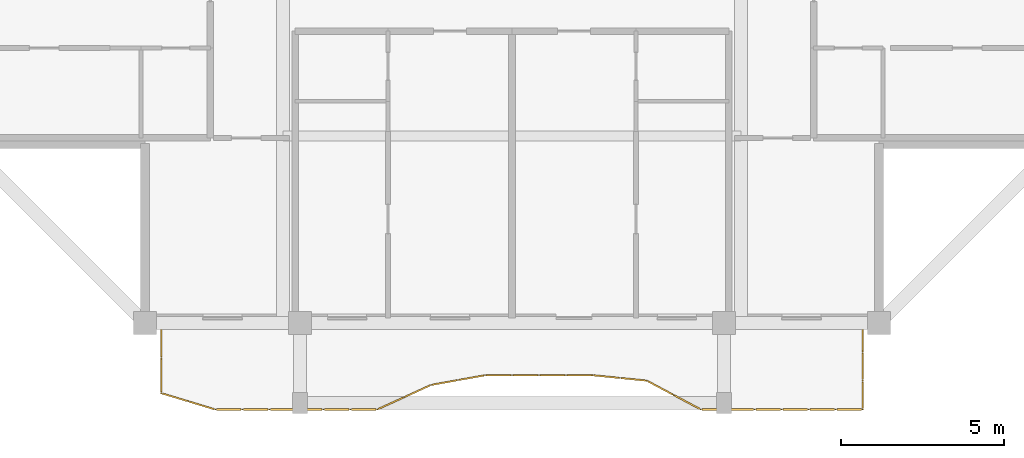
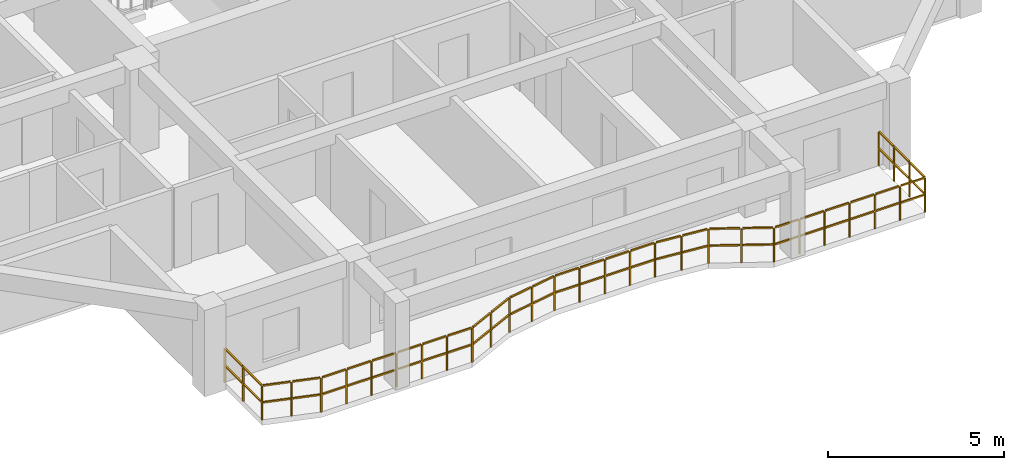
# One storey, part 9 of 13: 1 railing.
"""IFC4 building model written with IfcOpenShell, lengths in metres."""

from ifc_helpers import new_model, si_unit, direction, frame, origin, origin_2d, place, context, subcontext, project, spatial, rectangle, extrude, material, type_object, element, save


model = new_model("IFC4")

# Units and contexts
model_context = context("Model", 3, precision=1e-05, world=origin(), true_north=direction((0.0, 1.0)))
body_context = subcontext(model_context, "Body", "Model", "MODEL_VIEW")
ifc_project = project(units=[si_unit("LENGTHUNIT", "METRE"), si_unit("AREAUNIT", "SQUARE_METRE"), si_unit("VOLUMEUNIT", "CUBIC_METRE"), si_unit("PLANEANGLEUNIT", "RADIAN"), si_unit("MASSUNIT", "GRAM", prefix="KILO")], contexts=[model_context])

# Site, building, storey
site_placement = place(None, origin())
site = spatial("IfcSite", under=ifc_project, at=site_placement, CompositionType="ELEMENT")
building_placement = place(site_placement, origin())
building = spatial("IfcBuilding", under=site, at=building_placement, Name="Saelheon Loggia Tower", CompositionType="ELEMENT")
storey_placement = place(building_placement, frame((0.0, 0.0, 220.199951171875)))
storey = spatial("IfcBuildingStorey", under=building, at=storey_placement, Name="L68", CompositionType="ELEMENT", Elevation=220.199951171875)

# Railing
ifc_material = material(Name="Architectural Precast Concrete and Laminated Glass Guard", Category="concrete")
railing_type = type_object("IfcRailingType", Name="Guard_Loggia_RL_LOG", PredefinedType="BALUSTRADE", material=ifc_material)
railing_placement = place(storey_placement, frame((27.25, 6.0, 0.0)))
element("IfcRailing", 1, at=railing_placement, inside=storey, type_object=railing_type, Name="L68 South Loggia Balustrade", PredefinedType="BALUSTRADE", context=body_context, shape_type="SweptSolid", body=[
    extrude(rectangle(XDim=0.048095703125, YDim=0.048095703125, at=origin_2d()), frame((0.0, -0.033203125, 1.19580078125), z_axis=(0.0, -1.0, 0.0), x_axis=(1.0, 0.0, 0.0)), (0.0, 0.0, 1.0), 1.008544921875),
    extrude(rectangle(XDim=0.048095703125, YDim=0.048095703125, at=origin_2d()), frame((0.0, -0.033203125, 0.60986328125), z_axis=(0.0, -1.0, 0.0), x_axis=(1.0, 0.0, 0.0)), (0.0, 0.0, 1.0), 1.008544921875),
    extrude(rectangle(XDim=0.048095703125, YDim=0.048095703125, at=origin_2d()), frame((0.0, -1.108154296875, 1.19580078125), z_axis=(0.0, -1.0, 0.0), x_axis=(1.0, 0.0, 0.0)), (0.0, 0.0, 1.0), 1.008544921875),
    extrude(rectangle(XDim=0.048095703125, YDim=0.048095703125, at=origin_2d()), frame((0.0, -1.108154296875, 0.60986328125), z_axis=(0.0, -1.0, 0.0), x_axis=(1.0, 0.0, 0.0)), (0.0, 0.0, 1.0), 1.008544921875),
    extrude(rectangle(XDim=0.048095703125, YDim=0.048095703125, at=origin_2d()), frame((0.03173828125, -2.159423828125, 1.19580078125), z_axis=(0.957209606682, -0.289395523248, 0.0), x_axis=(0.289395523248, 0.957209606682, 0.0)), (0.0, 0.0, 1.0), 0.79736328125),
    extrude(rectangle(XDim=0.048095703125, YDim=0.048095703125, at=origin_2d()), frame((0.03173828125, -2.159423828125, 0.60986328125), z_axis=(0.957209606682, -0.289395523248, 0.0), x_axis=(0.289395523248, 0.957209606682, 0.0)), (0.0, 0.0, 1.0), 0.79736328125),
    extrude(rectangle(XDim=0.048095703125, YDim=0.048095703125, at=origin_2d()), frame((0.858642578125, -2.409423828125, 1.19580078125), z_axis=(0.957209606682, -0.289395523248, 0.0), x_axis=(0.289395523248, 0.957209606682, 0.0)), (0.0, 0.0, 1.0), 0.79736328125),
    extrude(rectangle(XDim=0.048095703125, YDim=0.048095703125, at=origin_2d()), frame((0.858642578125, -2.409423828125, 0.60986328125), z_axis=(0.957209606682, -0.289395523248, 0.0), x_axis=(0.289395523248, 0.957209606682, 0.0)), (0.0, 0.0, 1.0), 0.79736328125),
    extrude(rectangle(XDim=0.048095703125, YDim=0.048095703125, at=origin_2d()), frame((1.68701171875, -2.64990234375, 1.19580078125), z_axis=(1.0, 0.0, 0.0), x_axis=(0.0, 1.0, 0.0)), (0.0, 0.0, 1.0), 0.760498046875),
    extrude(rectangle(XDim=0.048095703125, YDim=0.048095703125, at=origin_2d()), frame((1.68701171875, -2.64990234375, 0.60986328125), z_axis=(1.0, 0.0, 0.0), x_axis=(0.0, 1.0, 0.0)), (0.0, 0.0, 1.0), 0.760498046875),
    extrude(rectangle(XDim=0.048095703125, YDim=0.048095703125, at=origin_2d()), frame((2.513916015625, -2.64990234375, 1.19580078125), z_axis=(1.0, 0.0, 0.0), x_axis=(0.0, 1.0, 0.0)), (0.0, 0.0, 1.0), 0.760498046875),
    extrude(rectangle(XDim=0.048095703125, YDim=0.048095703125, at=origin_2d()), frame((2.513916015625, -2.64990234375, 0.60986328125), z_axis=(1.0, 0.0, 0.0), x_axis=(0.0, 1.0, 0.0)), (0.0, 0.0, 1.0), 0.760498046875),
    extrude(rectangle(XDim=0.048095703125, YDim=0.048095703125, at=origin_2d()), frame((3.3408203125, -2.64990234375, 1.19580078125), z_axis=(1.0, 0.0, 0.0), x_axis=(0.0, 1.0, 0.0)), (0.0, 0.0, 1.0), 0.760498046875),
    extrude(rectangle(XDim=0.048095703125, YDim=0.048095703125, at=origin_2d()), frame((3.3408203125, -2.64990234375, 0.60986328125), z_axis=(1.0, 0.0, 0.0), x_axis=(0.0, 1.0, 0.0)), (0.0, 0.0, 1.0), 0.760498046875),
    extrude(rectangle(XDim=0.048095703125, YDim=0.048095703125, at=origin_2d()), frame((4.167724609375, -2.64990234375, 1.19580078125), z_axis=(1.0, 0.0, 0.0), x_axis=(0.0, 1.0, 0.0)), (0.0, 0.0, 1.0), 0.760498046875),
    extrude(rectangle(XDim=0.048095703125, YDim=0.048095703125, at=origin_2d()), frame((4.167724609375, -2.64990234375, 0.60986328125), z_axis=(1.0, 0.0, 0.0), x_axis=(0.0, 1.0, 0.0)), (0.0, 0.0, 1.0), 0.760498046875),
    extrude(rectangle(XDim=0.048095703125, YDim=0.048095703125, at=origin_2d()), frame((4.99462890625, -2.64990234375, 1.19580078125), z_axis=(1.0, 0.0, 0.0), x_axis=(0.0, 1.0, 0.0)), (0.0, 0.0, 1.0), 0.760498046875),
    extrude(rectangle(XDim=0.048095703125, YDim=0.048095703125, at=origin_2d()), frame((4.99462890625, -2.64990234375, 0.60986328125), z_axis=(1.0, 0.0, 0.0), x_axis=(0.0, 1.0, 0.0)), (0.0, 0.0, 1.0), 0.760498046875),
    extrude(rectangle(XDim=0.048095703125, YDim=0.048095703125, at=origin_2d()), frame((5.82177734375, -2.64990234375, 1.19580078125), z_axis=(1.0, 0.0, 0.0), x_axis=(0.0, 1.0, 0.0)), (0.0, 0.0, 1.0), 0.760498046875),
    extrude(rectangle(XDim=0.048095703125, YDim=0.048095703125, at=origin_2d()), frame((5.82177734375, -2.64990234375, 0.60986328125), z_axis=(1.0, 0.0, 0.0), x_axis=(0.0, 1.0, 0.0)), (0.0, 0.0, 1.0), 0.760498046875),
    extrude(rectangle(XDim=0.048095703125, YDim=0.048095703125, at=origin_2d()), frame((6.645751953125, -2.63623046875, 1.19580078125), z_axis=(0.91001650144, 0.414572028852, 0.0), x_axis=(-0.414572028852, 0.91001650144, 0.0)), (0.0, 0.0, 1.0), 0.84228515625),
    extrude(rectangle(XDim=0.048095703125, YDim=0.048095703125, at=origin_2d()), frame((6.645751953125, -2.63623046875, 0.60986328125), z_axis=(0.91001650144, 0.414572028852, 0.0), x_axis=(-0.414572028852, 0.91001650144, 0.0)), (0.0, 0.0, 1.0), 0.84228515625),
    extrude(rectangle(XDim=0.048095703125, YDim=0.048095703125, at=origin_2d()), frame((7.47265625, -2.259521484375, 1.19580078125), z_axis=(0.91001650144, 0.414572028852, 0.0), x_axis=(-0.414572028852, 0.91001650144, 0.0)), (0.0, 0.0, 1.0), 0.84228515625),
    extrude(rectangle(XDim=0.048095703125, YDim=0.048095703125, at=origin_2d()), frame((7.47265625, -2.259521484375, 0.60986328125), z_axis=(0.91001650144, 0.414572028852, 0.0), x_axis=(-0.414572028852, 0.91001650144, 0.0)), (0.0, 0.0, 1.0), 0.84228515625),
    extrude(rectangle(XDim=0.048095703125, YDim=0.048095703125, at=origin_2d()), frame((8.302001953125, -1.890625, 1.19580078125), z_axis=(0.984317819395, 0.17640416781, 0.0), x_axis=(-0.17640416781, 0.984317819395, 0.0)), (0.0, 0.0, 1.0), 0.773681640625),
    extrude(rectangle(XDim=0.048095703125, YDim=0.048095703125, at=origin_2d()), frame((8.302001953125, -1.890625, 0.60986328125), z_axis=(0.984317819395, 0.17640416781, 0.0), x_axis=(-0.17640416781, 0.984317819395, 0.0)), (0.0, 0.0, 1.0), 0.773681640625),
    extrude(rectangle(XDim=0.048095703125, YDim=0.048095703125, at=origin_2d()), frame((9.12890625, -1.742431640625, 1.19580078125), z_axis=(0.984317819395, 0.17640416781, 0.0), x_axis=(-0.17640416781, 0.984317819395, 0.0)), (0.0, 0.0, 1.0), 0.773681640625),
    extrude(rectangle(XDim=0.048095703125, YDim=0.048095703125, at=origin_2d()), frame((9.12890625, -1.742431640625, 0.60986328125), z_axis=(0.984317819395, 0.17640416781, 0.0), x_axis=(-0.17640416781, 0.984317819395, 0.0)), (0.0, 0.0, 1.0), 0.773681640625),
    extrude(rectangle(XDim=0.048095703125, YDim=0.048095703125, at=origin_2d()), frame((9.956298828125, -1.60009765625, 1.19580078125), z_axis=(1.0, 0.0, 0.0), x_axis=(0.0, 1.0, 0.0)), (0.0, 0.0, 1.0), 0.760498046875),
    extrude(rectangle(XDim=0.048095703125, YDim=0.048095703125, at=origin_2d()), frame((9.956298828125, -1.60009765625, 0.60986328125), z_axis=(1.0, 0.0, 0.0), x_axis=(0.0, 1.0, 0.0)), (0.0, 0.0, 1.0), 0.760498046875),
    extrude(rectangle(XDim=0.048095703125, YDim=0.048095703125, at=origin_2d()), frame((10.783203125, -1.60009765625, 1.19580078125), z_axis=(1.0, 0.0, 0.0), x_axis=(0.0, 1.0, 0.0)), (0.0, 0.0, 1.0), 0.760498046875),
    extrude(rectangle(XDim=0.048095703125, YDim=0.048095703125, at=origin_2d()), frame((10.783203125, -1.60009765625, 0.60986328125), z_axis=(1.0, 0.0, 0.0), x_axis=(0.0, 1.0, 0.0)), (0.0, 0.0, 1.0), 0.760498046875),
    extrude(rectangle(XDim=0.048095703125, YDim=0.048095703125, at=origin_2d()), frame((11.610107421875, -1.60009765625, 1.19580078125), z_axis=(1.0, 0.0, 0.0), x_axis=(0.0, 1.0, 0.0)), (0.0, 0.0, 1.0), 0.760498046875),
    extrude(rectangle(XDim=0.048095703125, YDim=0.048095703125, at=origin_2d()), frame((11.610107421875, -1.60009765625, 0.60986328125), z_axis=(1.0, 0.0, 0.0), x_axis=(0.0, 1.0, 0.0)), (0.0, 0.0, 1.0), 0.760498046875),
    extrude(rectangle(XDim=0.048095703125, YDim=0.048095703125, at=origin_2d()), frame((12.43701171875, -1.60009765625, 1.19580078125), z_axis=(1.0, 0.0, 0.0), x_axis=(0.0, 1.0, 0.0)), (0.0, 0.0, 1.0), 0.760498046875),
    extrude(rectangle(XDim=0.048095703125, YDim=0.048095703125, at=origin_2d()), frame((12.43701171875, -1.60009765625, 0.60986328125), z_axis=(1.0, 0.0, 0.0), x_axis=(0.0, 1.0, 0.0)), (0.0, 0.0, 1.0), 0.760498046875),
    extrude(rectangle(XDim=0.048095703125, YDim=0.048095703125, at=origin_2d()), frame((13.263671875, -1.603515625, 1.19580078125), z_axis=(0.99498469818, -0.100027248223, 0.0), x_axis=(0.100027248223, 0.99498469818, 0.0)), (0.0, 0.0, 1.0), 0.7646484375),
    extrude(rectangle(XDim=0.048095703125, YDim=0.048095703125, at=origin_2d()), frame((13.263671875, -1.603515625, 0.60986328125), z_axis=(0.99498469818, -0.100027248223, 0.0), x_axis=(0.100027248223, 0.99498469818, 0.0)), (0.0, 0.0, 1.0), 0.7646484375),
    extrude(rectangle(XDim=0.048095703125, YDim=0.048095703125, at=origin_2d()), frame((14.090576171875, -1.6865234375, 1.19580078125), z_axis=(0.99498469818, -0.100027248223, 0.0), x_axis=(0.100027248223, 0.99498469818, 0.0)), (0.0, 0.0, 1.0), 0.7646484375),
    extrude(rectangle(XDim=0.048095703125, YDim=0.048095703125, at=origin_2d()), frame((14.090576171875, -1.6865234375, 0.60986328125), z_axis=(0.99498469818, -0.100027248223, 0.0), x_axis=(0.100027248223, 0.99498469818, 0.0)), (0.0, 0.0, 1.0), 0.7646484375),
    extrude(rectangle(XDim=0.048095703125, YDim=0.048095703125, at=origin_2d()), frame((14.913818359375, -1.781982421875, 1.19580078125), z_axis=(0.882425040015, -0.470453025024, 0.0), x_axis=(0.470453025024, 0.882425040015, 0.0)), (0.0, 0.0, 1.0), 0.870849609375),
    extrude(rectangle(XDim=0.048095703125, YDim=0.048095703125, at=origin_2d()), frame((14.913818359375, -1.781982421875, 0.60986328125), z_axis=(0.882425040015, -0.470453025024, 0.0), x_axis=(0.470453025024, 0.882425040015, 0.0)), (0.0, 0.0, 1.0), 0.870849609375),
    extrude(rectangle(XDim=0.048095703125, YDim=0.048095703125, at=origin_2d()), frame((15.740966796875, -2.222900390625, 1.19580078125), z_axis=(0.882425040015, -0.470453025024, 0.0), x_axis=(0.470453025024, 0.882425040015, 0.0)), (0.0, 0.0, 1.0), 0.870849609375),
    extrude(rectangle(XDim=0.048095703125, YDim=0.048095703125, at=origin_2d()), frame((15.740966796875, -2.222900390625, 0.60986328125), z_axis=(0.882425040015, -0.470453025024, 0.0), x_axis=(0.470453025024, 0.882425040015, 0.0)), (0.0, 0.0, 1.0), 0.870849609375),
    extrude(rectangle(XDim=0.048095703125, YDim=0.048095703125, at=origin_2d()), frame((16.57177734375, -2.648193359375, 1.19580078125), z_axis=(0.999999466081, -0.001033362306, 0.0), x_axis=(0.001033362306, 0.999999466081, 0.0)), (0.0, 0.0, 1.0), 0.760498046875),
    extrude(rectangle(XDim=0.048095703125, YDim=0.048095703125, at=origin_2d()), frame((16.57177734375, -2.648193359375, 0.60986328125), z_axis=(0.999999466081, -0.001033362306, 0.0), x_axis=(0.001033362306, 0.999999466081, 0.0)), (0.0, 0.0, 1.0), 0.760498046875),
    extrude(rectangle(XDim=0.048095703125, YDim=0.048095703125, at=origin_2d()), frame((17.398681640625, -2.649169921875, 1.19580078125), z_axis=(0.999999466081, -0.001033362306, 0.0), x_axis=(0.001033362306, 0.999999466081, 0.0)), (0.0, 0.0, 1.0), 0.760498046875),
    extrude(rectangle(XDim=0.048095703125, YDim=0.048095703125, at=origin_2d()), frame((17.398681640625, -2.649169921875, 0.60986328125), z_axis=(0.999999466081, -0.001033362306, 0.0), x_axis=(0.001033362306, 0.999999466081, 0.0)), (0.0, 0.0, 1.0), 0.760498046875),
    extrude(rectangle(XDim=0.048095703125, YDim=0.048095703125, at=origin_2d()), frame((18.2255859375, -2.64990234375, 1.19580078125), z_axis=(1.0, 0.0, 0.0), x_axis=(0.0, 1.0, 0.0)), (0.0, 0.0, 1.0), 0.760498046875),
    extrude(rectangle(XDim=0.048095703125, YDim=0.048095703125, at=origin_2d()), frame((18.2255859375, -2.64990234375, 0.60986328125), z_axis=(1.0, 0.0, 0.0), x_axis=(0.0, 1.0, 0.0)), (0.0, 0.0, 1.0), 0.760498046875),
    extrude(rectangle(XDim=0.048095703125, YDim=0.048095703125, at=origin_2d()), frame((19.052490234375, -2.64990234375, 1.19580078125), z_axis=(1.0, 0.0, 0.0), x_axis=(0.0, 1.0, 0.0)), (0.0, 0.0, 1.0), 0.760498046875),
    extrude(rectangle(XDim=0.048095703125, YDim=0.048095703125, at=origin_2d()), frame((19.052490234375, -2.64990234375, 0.60986328125), z_axis=(1.0, 0.0, 0.0), x_axis=(0.0, 1.0, 0.0)), (0.0, 0.0, 1.0), 0.760498046875),
    extrude(rectangle(XDim=0.048095703125, YDim=0.048095703125, at=origin_2d()), frame((19.87939453125, -2.64990234375, 1.19580078125), z_axis=(1.0, 0.0, 0.0), x_axis=(0.0, 1.0, 0.0)), (0.0, 0.0, 1.0), 0.760498046875),
    extrude(rectangle(XDim=0.048095703125, YDim=0.048095703125, at=origin_2d()), frame((19.87939453125, -2.64990234375, 0.60986328125), z_axis=(1.0, 0.0, 0.0), x_axis=(0.0, 1.0, 0.0)), (0.0, 0.0, 1.0), 0.760498046875),
    extrude(rectangle(XDim=0.048095703125, YDim=0.048095703125, at=origin_2d()), frame((20.706298828125, -2.64990234375, 1.19580078125), z_axis=(1.0, 0.0, 0.0), x_axis=(0.0, 1.0, 0.0)), (0.0, 0.0, 1.0), 0.760498046875),
    extrude(rectangle(XDim=0.048095703125, YDim=0.048095703125, at=origin_2d()), frame((20.706298828125, -2.64990234375, 0.60986328125), z_axis=(1.0, 0.0, 0.0), x_axis=(0.0, 1.0, 0.0)), (0.0, 0.0, 1.0), 0.760498046875),
    extrude(rectangle(XDim=0.048095703125, YDim=0.048095703125, at=origin_2d()), frame((21.5, -2.61669921875, 1.19580078125), z_axis=(0.0, 1.0, 0.0), x_axis=(-1.0, 0.0, 0.0)), (0.0, 0.0, 1.0), 0.81689453125),
    extrude(rectangle(XDim=0.048095703125, YDim=0.048095703125, at=origin_2d()), frame((21.5, -2.61669921875, 0.60986328125), z_axis=(0.0, 1.0, 0.0), x_axis=(-1.0, 0.0, 0.0)), (0.0, 0.0, 1.0), 0.81689453125),
    extrude(rectangle(XDim=0.048095703125, YDim=0.048095703125, at=origin_2d()), frame((21.5, -1.7333984375, 1.19580078125), z_axis=(0.0, 1.0, 0.0), x_axis=(-1.0, 0.0, 0.0)), (0.0, 0.0, 1.0), 0.81689453125),
    extrude(rectangle(XDim=0.048095703125, YDim=0.048095703125, at=origin_2d()), frame((21.5, -1.7333984375, 0.60986328125), z_axis=(0.0, 1.0, 0.0), x_axis=(-1.0, 0.0, 0.0)), (0.0, 0.0, 1.0), 0.81689453125),
    extrude(rectangle(XDim=0.048095703125, YDim=0.048095703125, at=origin_2d()), frame((21.5, -0.85009765625, 1.19580078125), z_axis=(0.0, 1.0, 0.0), x_axis=(-1.0, 0.0, 0.0)), (0.0, 0.0, 1.0), 0.81689453125),
    extrude(rectangle(XDim=0.048095703125, YDim=0.048095703125, at=origin_2d()), frame((21.5, -0.85009765625, 0.60986328125), z_axis=(0.0, 1.0, 0.0), x_axis=(-1.0, 0.0, 0.0)), (0.0, 0.0, 1.0), 0.81689453125),
    extrude(rectangle(XDim=0.0419921875, YDim=0.0419921875, at=origin_2d()), origin(), (0.0, 0.0, 1.0), 1.16796875),
    extrude(rectangle(XDim=0.0419921875, YDim=0.0419921875, at=origin_2d()), frame((0.0, -1.074951171875, 0.0)), (0.0, 0.0, 1.0), 1.16796875),
    extrude(rectangle(XDim=0.0419921875, YDim=0.0419921875, at=origin_2d()), frame((0.0, -2.14990234375, 0.0)), (0.0, 0.0, 1.0), 1.16796875),
    extrude(rectangle(XDim=0.0419921875, YDim=0.0419921875, at=origin_2d()), frame((0.826904296875, -2.39990234375, 0.0)), (0.0, 0.0, 1.0), 1.16796875),
    extrude(rectangle(XDim=0.0419921875, YDim=0.0419921875, at=origin_2d()), frame((1.65380859375, -2.64990234375, 0.0)), (0.0, 0.0, 1.0), 1.16796875),
    extrude(rectangle(XDim=0.0419921875, YDim=0.0419921875, at=origin_2d()), frame((2.480712890625, -2.64990234375, 0.0)), (0.0, 0.0, 1.0), 1.16796875),
    extrude(rectangle(XDim=0.0419921875, YDim=0.0419921875, at=origin_2d()), frame((3.3076171875, -2.64990234375, 0.0)), (0.0, 0.0, 1.0), 1.16796875),
    extrude(rectangle(XDim=0.0419921875, YDim=0.0419921875, at=origin_2d()), frame((4.134521484375, -2.64990234375, 0.0)), (0.0, 0.0, 1.0), 1.16796875),
    extrude(rectangle(XDim=0.0419921875, YDim=0.0419921875, at=origin_2d()), frame((4.96142578125, -2.64990234375, 0.0)), (0.0, 0.0, 1.0), 1.16796875),
    extrude(rectangle(XDim=0.0419921875, YDim=0.0419921875, at=origin_2d()), frame((5.78857421875, -2.64990234375, 0.0)), (0.0, 0.0, 1.0), 1.16796875),
    extrude(rectangle(XDim=0.0419921875, YDim=0.0419921875, at=origin_2d()), frame((6.615478515625, -2.64990234375, 0.0)), (0.0, 0.0, 1.0), 1.16796875),
    extrude(rectangle(XDim=0.0419921875, YDim=0.0419921875, at=origin_2d()), frame((7.4423828125, -2.273193359375, 0.0)), (0.0, 0.0, 1.0), 1.16796875),
    extrude(rectangle(XDim=0.0419921875, YDim=0.0419921875, at=origin_2d()), frame((8.269287109375, -1.896484375, 0.0)), (0.0, 0.0, 1.0), 1.16796875),
    extrude(rectangle(XDim=0.0419921875, YDim=0.0419921875, at=origin_2d()), frame((9.09619140625, -1.748291015625, 0.0)), (0.0, 0.0, 1.0), 1.16796875),
    extrude(rectangle(XDim=0.0419921875, YDim=0.0419921875, at=origin_2d()), frame((9.923095703125, -1.60009765625, 0.0)), (0.0, 0.0, 1.0), 1.16796875),
    extrude(rectangle(XDim=0.0419921875, YDim=0.0419921875, at=origin_2d()), frame((10.75, -1.60009765625, 0.0)), (0.0, 0.0, 1.0), 1.16796875),
    extrude(rectangle(XDim=0.0419921875, YDim=0.0419921875, at=origin_2d()), frame((11.576904296875, -1.60009765625, 0.0)), (0.0, 0.0, 1.0), 1.16796875),
    extrude(rectangle(XDim=0.0419921875, YDim=0.0419921875, at=origin_2d()), frame((12.40380859375, -1.60009765625, 0.0)), (0.0, 0.0, 1.0), 1.16796875),
    extrude(rectangle(XDim=0.0419921875, YDim=0.0419921875, at=origin_2d()), frame((13.230712890625, -1.60009765625, 0.0)), (0.0, 0.0, 1.0), 1.16796875),
    extrude(rectangle(XDim=0.0419921875, YDim=0.0419921875, at=origin_2d()), frame((14.0576171875, -1.68310546875, 0.0)), (0.0, 0.0, 1.0), 1.16796875),
    extrude(rectangle(XDim=0.0419921875, YDim=0.0419921875, at=origin_2d()), frame((14.884521484375, -1.766357421875, 0.0)), (0.0, 0.0, 1.0), 1.16796875),
    extrude(rectangle(XDim=0.0419921875, YDim=0.0419921875, at=origin_2d()), frame((15.71142578125, -2.207275390625, 0.0)), (0.0, 0.0, 1.0), 1.16796875),
    extrude(rectangle(XDim=0.0419921875, YDim=0.0419921875, at=origin_2d()), frame((16.53857421875, -2.648193359375, 0.0)), (0.0, 0.0, 1.0), 1.16796875),
    extrude(rectangle(XDim=0.0419921875, YDim=0.0419921875, at=origin_2d()), frame((17.365478515625, -2.64892578125, 0.0)), (0.0, 0.0, 1.0), 1.16796875),
    extrude(rectangle(XDim=0.0419921875, YDim=0.0419921875, at=origin_2d()), frame((18.1923828125, -2.64990234375, 0.0)), (0.0, 0.0, 1.0), 1.16796875),
    extrude(rectangle(XDim=0.0419921875, YDim=0.0419921875, at=origin_2d()), frame((19.019287109375, -2.64990234375, 0.0)), (0.0, 0.0, 1.0), 1.16796875),
    extrude(rectangle(XDim=0.0419921875, YDim=0.0419921875, at=origin_2d()), frame((19.84619140625, -2.64990234375, 0.0)), (0.0, 0.0, 1.0), 1.16796875),
    extrude(rectangle(XDim=0.0419921875, YDim=0.0419921875, at=origin_2d()), frame((20.673095703125, -2.64990234375, 0.0)), (0.0, 0.0, 1.0), 1.16796875),
    extrude(rectangle(XDim=0.0419921875, YDim=0.0419921875, at=origin_2d()), frame((21.5, -2.64990234375, 0.0)), (0.0, 0.0, 1.0), 1.16796875),
    extrude(rectangle(XDim=0.0419921875, YDim=0.0419921875, at=origin_2d()), frame((21.5, -1.7666015625, 0.0)), (0.0, 0.0, 1.0), 1.16796875),
    extrude(rectangle(XDim=0.0419921875, YDim=0.0419921875, at=origin_2d()), frame((21.5, -0.88330078125, 0.0)), (0.0, 0.0, 1.0), 1.16796875),
    extrude(rectangle(XDim=0.0419921875, YDim=0.0419921875, at=origin_2d()), frame((21.5, 0.0, 0.0)), (0.0, 0.0, 1.0), 1.16796875),
])

save(model, "model.ifc")
